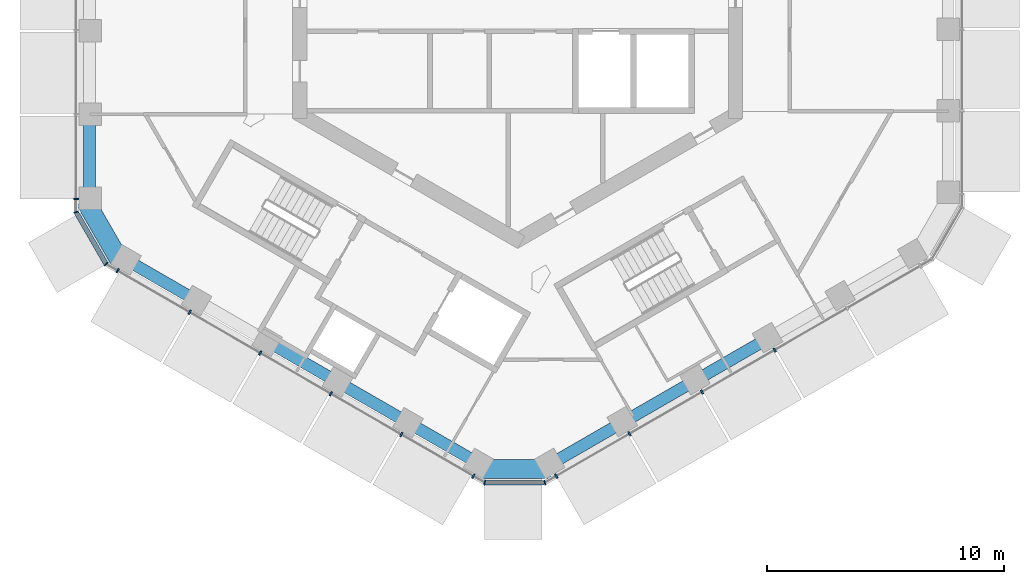
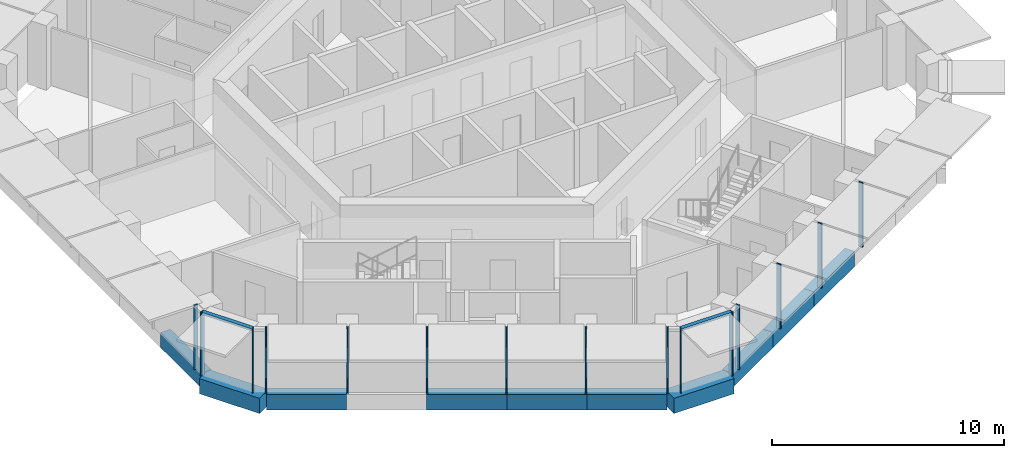
# One storey, part 2 of 18: 17 members, 10 beams, 5 elements without a shape of their own.
"""IFC4 building model written with IfcOpenShell, lengths in metres."""

from ifc_helpers import new_model, si_unit, direction, frame, origin, origin_2d, place, context, subcontext, project, spatial, rectangle, extrude, material, layer, layer_set, material_profile, profile_set, type_object, element, aggregate, save


model = new_model("IFC4")

# Units and contexts
model_context = context("Model", 3, precision=1e-05, world=origin(), true_north=direction((0.0, 1.0)))
body_context = subcontext(model_context, "Body", "Model", "MODEL_VIEW")
ifc_project = project(units=[si_unit("LENGTHUNIT", "METRE"), si_unit("AREAUNIT", "SQUARE_METRE"), si_unit("VOLUMEUNIT", "CUBIC_METRE"), si_unit("PLANEANGLEUNIT", "RADIAN"), si_unit("MASSUNIT", "GRAM", prefix="KILO")], contexts=[model_context])

# Site, building, storey
site_placement = place(None, origin())
site = spatial("IfcSite", under=ifc_project, at=site_placement, CompositionType="ELEMENT")
building_placement = place(site_placement, origin())
building = spatial("IfcBuilding", under=site, at=building_placement, Name="Ayvan Gate Tower", CompositionType="ELEMENT")
storey_placement = place(building_placement, frame((0.0, 0.0, 159.5)))
storey = spatial("IfcBuildingStorey", under=building, at=storey_placement, Name="L42", CompositionType="ELEMENT", Elevation=159.5)

# Beams
ifc_material_1 = material(Name="Concrete C40/50", Category="concrete")
ifc_material_profile_1 = material_profile(ifc_material_1, rectangle(XDim=0.800048828125, YDim=0.800048828125, at=origin_2d()), Name="RC 800x800")
ifc_profile_set_1 = profile_set([ifc_material_profile_1], Name="Concrete C40/50")
beam_type_1 = type_object("IfcBeamType", Name="Corner spandrel beam RC 800x800 C40/50", PredefinedType="BEAM", material=ifc_profile_set_1)
for number, where, z_axis, x_axis, name in (
    (1, (-18.271484375, -8.93896484375, -0.75), (0.499990139034, -0.866031096941, 0.0), (0.866031096941, 0.499990139034, 0.0), "SB-L42-24"),
    (2, (-1.605712890625, -20.29296875, -0.75), (1.0, 0.0, 0.0), (0.0, 1.0, 0.0), "SB-L42-30"),
):
    element("IfcBeam", number, at=place(storey_placement, frame(where, z_axis=z_axis, x_axis=x_axis)), inside=storey, type_object=beam_type_1, Name=name, PredefinedType="BEAM", context=body_context, shape_type="SweptSolid", body=[
        extrude(rectangle(XDim=0.800048828125, YDim=0.800048828125, at=origin_2d()), origin(), (0.0, 0.0, 1.0), 3.0),
    ])
ifc_material_profile_2 = material_profile(ifc_material_1, rectangle(XDim=0.5, YDim=0.800048828125, at=origin_2d()), Name="RC 500x800")
ifc_profile_set_2 = profile_set([ifc_material_profile_2], Name="Concrete C40/50")
beam_type_2 = type_object("IfcBeamType", Name="Spandrel beam RC 500x800 C40/50", PredefinedType="BEAM", material=ifc_profile_set_2)
beam_1_placement = place(storey_placement, frame((-18.080810546875, -5.29736328125, -0.75), z_axis=(0.0, -1.0, 0.0), x_axis=(1.0, 0.0, 0.0)))
element("IfcBeam", 3, at=beam_1_placement, inside=storey, type_object=beam_type_2, Name="SB-L42-23", PredefinedType="BEAM", context=body_context, shape_type="SweptSolid", body=[
    extrude(rectangle(XDim=0.5, YDim=0.800048828125, at=origin_2d()), origin(), (0.0, 0.0, 1.0), 3.531494140625),
])
for number, where, z_axis, x_axis, name in (
    (4, (-16.580810546875, -11.427001953125, -0.75), (0.866005709019, -0.500034110783, 0.0), (0.500034110783, 0.866005709019, 0.0), "SB-L42-25"),
    (5, (-10.5908203125, -14.885498046875, -0.75), (0.866053925764, -0.499950595228, 0.0), (0.499950595228, 0.866053925764, 0.0), "SB-L42-27"),
):
    element("IfcBeam", number, at=place(storey_placement, frame(where, z_axis=z_axis, x_axis=x_axis)), inside=storey, type_object=beam_type_2, Name=name, PredefinedType="BEAM", context=body_context, shape_type="SweptSolid", body=[
        extrude(rectangle(XDim=0.5, YDim=0.800048828125, at=origin_2d()), origin(), (0.0, 0.0, 1.0), 3.458251953125),
    ])
beam_2_placement = place(storey_placement, frame((-7.595703125, -16.614501953125, -0.75), z_axis=(0.866023358902, -0.500003541824, 0.0), x_axis=(0.500003541824, 0.866023358902, 0.0)))
element("IfcBeam", 6, at=beam_2_placement, inside=storey, type_object=beam_type_2, Name="SB-L42-28", PredefinedType="BEAM", context=body_context, shape_type="SweptSolid", body=[
    extrude(rectangle(XDim=0.5, YDim=0.800048828125, at=origin_2d()), origin(), (0.0, 0.0, 1.0), 3.45849609375),
])
beam_3_placement = place(storey_placement, frame((-4.6005859375, -18.34375, -0.75), z_axis=(0.866005709019, -0.500034110783, 0.0), x_axis=(0.500034110783, 0.866005709019, 0.0)))
element("IfcBeam", 7, at=beam_3_placement, inside=storey, type_object=beam_type_2, Name="SB-L42-29", PredefinedType="BEAM", context=body_context, shape_type="SweptSolid", body=[
    extrude(rectangle(XDim=0.5, YDim=0.800048828125, at=origin_2d()), origin(), (0.0, 0.0, 1.0), 3.458251953125),
])
beam_4_placement = place(storey_placement, frame((1.394287109375, -20.072998046875, -0.75), z_axis=(0.866026725994, 0.499997709859, 0.0), x_axis=(-0.499997709859, 0.866026725994, 0.0)))
element("IfcBeam", 8, at=beam_4_placement, inside=storey, type_object=beam_type_2, Name="SB-L42-31", PredefinedType="BEAM", context=body_context, shape_type="SweptSolid", body=[
    extrude(rectangle(XDim=0.5, YDim=0.800048828125, at=origin_2d()), origin(), (0.0, 0.0, 1.0), 3.53173828125),
])
for number, where, z_axis, x_axis, name in (
    (9, (4.452880859375, -18.30712890625, -0.75), (0.866039378151, 0.499975794906, 0.0), (-0.499975794906, 0.866039378151, 0.0), "SB-L42-32"),
    (10, (7.51123046875, -16.54150390625, -0.75), (0.866009442777, 0.500027644257, 0.0), (-0.500027644257, 0.866009442777, 0.0), "SB-L42-33"),
):
    element("IfcBeam", number, at=place(storey_placement, frame(where, z_axis=z_axis, x_axis=x_axis)), inside=storey, type_object=beam_type_2, Name=name, PredefinedType="BEAM", context=body_context, shape_type="SweptSolid", body=[
        extrude(rectangle(XDim=0.5, YDim=0.800048828125, at=origin_2d()), origin(), (0.0, 0.0, 1.0), 3.531494140625),
    ])

# Curtain wall, member
ifc_material_2 = material(Name="Bronze anodised aluminium", Category="aluminium")
ifc_layer_1 = layer(ifc_material_2, 0.199951171875)
ifc_layer_set_1 = layer_set([ifc_layer_1], Name="Bronze anodised aluminium")
curtain_wall_type_1 = type_object("IfcCurtainWallType", Name="Stick curtain wall CW-2", PredefinedType="NOTDEFINED", material=ifc_layer_set_1)
curtain_wall_1_placement = place(storey_placement, origin())
curtain_wall_1 = element("IfcCurtainWall", 11, at=curtain_wall_1_placement, inside=storey, type_object=curtain_wall_type_1, Name="Stick curtain wall CW-2 L42", PredefinedType="NOTDEFINED")
ifc_material_profile_3 = material_profile(ifc_material_2, rectangle(XDim=0.199951171875, YDim=0.070068359375, at=origin_2d()), Name="Stick curtain wall CW-2 mullion 200 x 70")
ifc_profile_set_3 = profile_set([ifc_material_profile_3], Name="Bronze anodised aluminium")
member_type_1 = type_object("IfcMemberType", Name="Stick curtain wall CW-2 mullion 200 x 70", PredefinedType="MULLION", material=ifc_profile_set_3)
member_1_placement = place(storey_placement, frame((-18.642822265625, -8.877197265625, 0.0), z_axis=(0.0, 0.0, 1.0), x_axis=(-1.0, 0.0, 0.0)))
member_1 = element("IfcMember", 12, at=member_1_placement, type_object=member_type_1, Name="CW-2 mullion 6", PredefinedType="MULLION", context=body_context, shape_type="SweptSolid", body=[
    extrude(rectangle(XDim=0.199951171875, YDim=0.070068359375, at=origin_2d()), origin(), (0.0, 0.0, 1.0), 3.39990234375),
])
aggregate(curtain_wall_1, [member_1])

# Curtain wall, members
curtain_wall_2_placement = place(storey_placement, origin())
curtain_wall_2 = element("IfcCurtainWall", 13, at=curtain_wall_2_placement, inside=storey, type_object=curtain_wall_type_1, Name="Stick curtain wall CW-2 L42", PredefinedType="NOTDEFINED")
member_2_placement = place(storey_placement, frame((-16.890625, -11.912109375, 0.0), z_axis=(0.0, 0.0, 1.0), x_axis=(-0.5, -0.866025403784, 0.0)))
member_2 = element("IfcMember", 14, at=member_2_placement, type_object=member_type_1, Name="CW-2 mullion 1", PredefinedType="MULLION", context=body_context, shape_type="SweptSolid", body=[
    extrude(rectangle(XDim=0.199951171875, YDim=0.070068359375, at=origin_2d()), origin(), (0.0, 0.0, 1.0), 3.39990234375),
])
member_3_placement = place(storey_placement, frame((-13.847412109375, -13.669189453125, 0.0), z_axis=(0.0, 0.0, 1.0), x_axis=(-0.5, -0.866025403784, 0.0)))
member_3 = element("IfcMember", 15, at=member_3_placement, type_object=member_type_1, Name="CW-2 mullion 2", PredefinedType="MULLION", context=body_context, shape_type="SweptSolid", body=[
    extrude(rectangle(XDim=0.199951171875, YDim=0.070068359375, at=origin_2d()), origin(), (0.0, 0.0, 1.0), 3.39990234375),
])
member_4_placement = place(storey_placement, frame((-10.869873046875, -15.38818359375, 0.0), z_axis=(0.0, 0.0, 1.0), x_axis=(-0.5, -0.866025403784, 0.0)))
member_4 = element("IfcMember", 16, at=member_4_placement, type_object=member_type_1, Name="CW-2 mullion 3", PredefinedType="MULLION", context=body_context, shape_type="SweptSolid", body=[
    extrude(rectangle(XDim=0.199951171875, YDim=0.070068359375, at=origin_2d()), origin(), (0.0, 0.0, 1.0), 3.39990234375),
])
member_5_placement = place(storey_placement, frame((-7.8916015625, -17.107666015625, 0.0), z_axis=(0.0, 0.0, 1.0), x_axis=(-0.5, -0.866025403784, 0.0)))
member_5 = element("IfcMember", 17, at=member_5_placement, type_object=member_type_1, Name="CW-2 mullion 4", PredefinedType="MULLION", context=body_context, shape_type="SweptSolid", body=[
    extrude(rectangle(XDim=0.199951171875, YDim=0.070068359375, at=origin_2d()), origin(), (0.0, 0.0, 1.0), 3.39990234375),
])
member_6_placement = place(storey_placement, frame((-4.91357421875, -18.8271484375, 0.0), z_axis=(0.0, 0.0, 1.0), x_axis=(-0.5, -0.866025403784, 0.0)))
member_6 = element("IfcMember", 18, at=member_6_placement, type_object=member_type_1, Name="CW-2 mullion 5", PredefinedType="MULLION", context=body_context, shape_type="SweptSolid", body=[
    extrude(rectangle(XDim=0.199951171875, YDim=0.070068359375, at=origin_2d()), origin(), (0.0, 0.0, 1.0), 3.39990234375),
])
member_7_placement = place(storey_placement, frame((-1.870849609375, -20.583740234375, 0.0), z_axis=(0.0, 0.0, 1.0), x_axis=(-0.5, -0.866025403784, 0.0)))
member_7 = element("IfcMember", 19, at=member_7_placement, type_object=member_type_1, Name="CW-2 mullion 6", PredefinedType="MULLION", context=body_context, shape_type="SweptSolid", body=[
    extrude(rectangle(XDim=0.199951171875, YDim=0.070068359375, at=origin_2d()), origin(), (0.0, 0.0, 1.0), 3.39990234375),
])
aggregate(curtain_wall_2, [member_2, member_3, member_4, member_5, member_6, member_7])

curtain_wall_3_placement = place(storey_placement, origin())
curtain_wall_3 = element("IfcCurtainWall", 20, at=curtain_wall_3_placement, inside=storey, type_object=curtain_wall_type_1, Name="Stick curtain wall CW-2 L42", PredefinedType="NOTDEFINED")
member_8_placement = place(storey_placement, frame((1.633544921875, -20.583740234375, 0.0), z_axis=(0.0, 0.0, 1.0), x_axis=(0.5, -0.866025403784, 0.0)))
member_8 = element("IfcMember", 21, at=member_8_placement, type_object=member_type_1, Name="CW-2 mullion 1", PredefinedType="MULLION", context=body_context, shape_type="SweptSolid", body=[
    extrude(rectangle(XDim=0.199951171875, YDim=0.070068359375, at=origin_2d()), origin(), (0.0, 0.0, 1.0), 3.39990234375),
])
member_9_placement = place(storey_placement, frame((4.720947265625, -18.80126953125, 0.0), z_axis=(0.0, 0.0, 1.0), x_axis=(0.5, -0.866025403784, 0.0)))
member_9 = element("IfcMember", 22, at=member_9_placement, type_object=member_type_1, Name="CW-2 mullion 2", PredefinedType="MULLION", context=body_context, shape_type="SweptSolid", body=[
    extrude(rectangle(XDim=0.199951171875, YDim=0.070068359375, at=origin_2d()), origin(), (0.0, 0.0, 1.0), 3.39990234375),
])
member_10_placement = place(storey_placement, frame((7.78759765625, -17.03076171875, 0.0), z_axis=(0.0, 0.0, 1.0), x_axis=(0.5, -0.866025403784, 0.0)))
member_10 = element("IfcMember", 23, at=member_10_placement, type_object=member_type_1, Name="CW-2 mullion 3", PredefinedType="MULLION", context=body_context, shape_type="SweptSolid", body=[
    extrude(rectangle(XDim=0.199951171875, YDim=0.070068359375, at=origin_2d()), origin(), (0.0, 0.0, 1.0), 3.39990234375),
])
member_11_placement = place(storey_placement, frame((10.85498046875, -15.259765625, 0.0), z_axis=(0.0, 0.0, 1.0), x_axis=(0.5, -0.866025403784, 0.0)))
member_11 = element("IfcMember", 24, at=member_11_placement, type_object=member_type_1, Name="CW-2 mullion 4", PredefinedType="MULLION", context=body_context, shape_type="SweptSolid", body=[
    extrude(rectangle(XDim=0.199951171875, YDim=0.070068359375, at=origin_2d()), origin(), (0.0, 0.0, 1.0), 3.39990234375),
])
aggregate(curtain_wall_3, [member_8, member_9, member_10, member_11])

ifc_layer_2 = layer(ifc_material_2, 0.199951171875)
ifc_layer_set_2 = layer_set([ifc_layer_2], Name="Bronze anodised aluminium")
curtain_wall_type_2 = type_object("IfcCurtainWallType", Name="Stick curtain wall CW-6", PredefinedType="NOTDEFINED", material=ifc_layer_set_2)
curtain_wall_4_placement = place(storey_placement, origin())
curtain_wall_4 = element("IfcCurtainWall", 25, at=curtain_wall_4_placement, inside=storey, type_object=curtain_wall_type_2, Name="Stick curtain wall CW-6 L42", PredefinedType="NOTDEFINED")
ifc_material_profile_4 = material_profile(ifc_material_2, rectangle(XDim=0.199951171875, YDim=0.050048828125, at=origin_2d()), Name="Stick curtain wall CW-6 mullion 200 x 50")
ifc_profile_set_4 = profile_set([ifc_material_profile_4], Name="Bronze anodised aluminium")
member_type_2 = type_object("IfcMemberType", Name="Stick curtain wall CW-6 mullion 200 x 50", PredefinedType="MULLION", material=ifc_profile_set_4)
member_12_placement = place(storey_placement, frame((-18.642822265625, -9.437255859375, 0.0), z_axis=(0.0, 0.0, 1.0), x_axis=(-0.965925826289, -0.258819045103, 0.0)))
member_12 = element("IfcMember", 26, at=member_12_placement, type_object=member_type_2, Name="CW-6 mullion 2", PredefinedType="MULLION", context=body_context, shape_type="SweptSolid", body=[
    extrude(rectangle(XDim=0.199951171875, YDim=0.050048828125, at=origin_2d()), origin(), (0.0, 0.0, 1.0), 3.39990234375),
])
member_13_placement = place(storey_placement, frame((-17.37548828125, -11.632080078125, 0.0), z_axis=(0.0, 0.0, 1.0), x_axis=(-0.707106781187, -0.707106781187, 0.0)))
member_13 = element("IfcMember", 27, at=member_13_placement, type_object=member_type_2, Name="CW-6 mullion 3", PredefinedType="MULLION", context=body_context, shape_type="SweptSolid", body=[
    extrude(rectangle(XDim=0.199951171875, YDim=0.050048828125, at=origin_2d()), origin(), (0.0, 0.0, 1.0), 3.39990234375),
])

curtain_wall_5_placement = place(storey_placement, origin())
curtain_wall_5 = element("IfcCurtainWall", 28, at=curtain_wall_5_placement, inside=storey, type_object=curtain_wall_type_2, Name="Stick curtain wall CW-6 L42", PredefinedType="NOTDEFINED")
member_14_placement = place(storey_placement, frame((-1.385986328125, -20.86376953125, 0.0), z_axis=(0.0, 0.0, 1.0), x_axis=(-0.258819045103, -0.965925826289, 0.0)))
member_14 = element("IfcMember", 29, at=member_14_placement, type_object=member_type_2, Name="CW-6 mullion 2", PredefinedType="MULLION", context=body_context, shape_type="SweptSolid", body=[
    extrude(rectangle(XDim=0.199951171875, YDim=0.050048828125, at=origin_2d()), origin(), (0.0, 0.0, 1.0), 3.39990234375),
])
member_15_placement = place(storey_placement, frame((1.148681640625, -20.86376953125, 0.0), z_axis=(0.0, 0.0, 1.0), x_axis=(0.258819045103, -0.965925826289, 0.0)))
member_15 = element("IfcMember", 30, at=member_15_placement, type_object=member_type_2, Name="CW-6 mullion 3", PredefinedType="MULLION", context=body_context, shape_type="SweptSolid", body=[
    extrude(rectangle(XDim=0.199951171875, YDim=0.050048828125, at=origin_2d()), origin(), (0.0, 0.0, 1.0), 3.39990234375),
])

# Member
ifc_material_profile_5 = material_profile(ifc_material_2, rectangle(XDim=0.199951171875, YDim=0.1201171875, at=origin_2d()), Name="Stick curtain wall CW-6 transom 200 x 120")
ifc_profile_set_5 = profile_set([ifc_material_profile_5], Name="Bronze anodised aluminium")
member_type_3 = type_object("IfcMemberType", Name="Stick curtain wall CW-6 transom 200 x 120", PredefinedType="USERDEFINED", material=ifc_profile_set_5)
member_16_placement = place(storey_placement, frame((-18.63037109375, -9.458740234375, 3.340087890625), z_axis=(0.50001729717, -0.866015417028, 0.0), x_axis=(0.866015417028, 0.50001729717, 0.0)))
member_16 = element("IfcMember", 31, at=member_16_placement, type_object=member_type_3, Name="CW-6 transom 2", ObjectType="TRANSOM", PredefinedType="USERDEFINED", context=body_context, shape_type="SweptSolid", body=[
    extrude(rectangle(XDim=0.199951171875, YDim=0.1201171875, at=origin_2d()), origin(), (0.0, 0.0, 1.0), 2.48486328125),
])

aggregate(curtain_wall_4, [member_12, member_13, member_16])

member_17_placement = place(storey_placement, frame((-1.361083984375, -20.86376953125, 3.340087890625), z_axis=(1.0, 0.0, 0.0), x_axis=(0.0, 1.0, 0.0)))
member_17 = element("IfcMember", 32, at=member_17_placement, type_object=member_type_3, Name="CW-6 transom 2", ObjectType="TRANSOM", PredefinedType="USERDEFINED", context=body_context, shape_type="SweptSolid", body=[
    extrude(rectangle(XDim=0.199951171875, YDim=0.1201171875, at=origin_2d()), origin(), (0.0, 0.0, 1.0), 2.484619140625),
])

aggregate(curtain_wall_5, [member_14, member_15, member_17])

save(model, "model.ifc")
